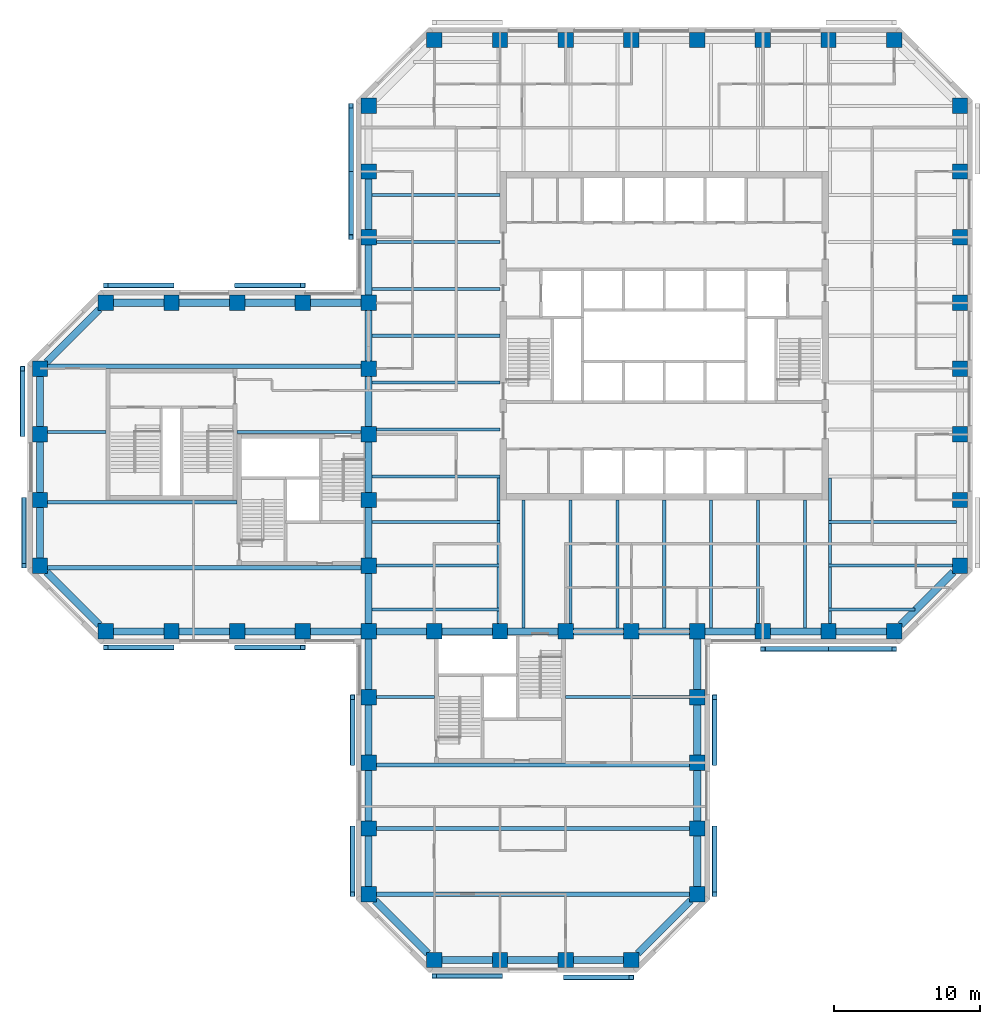
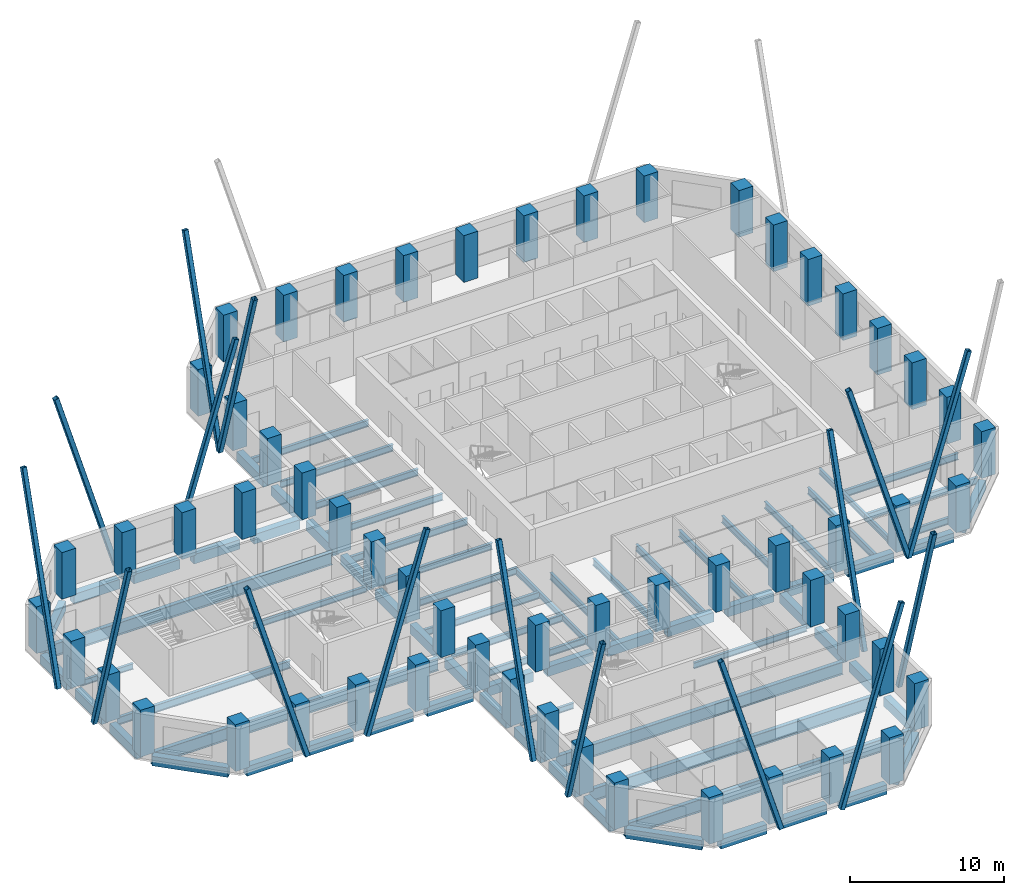
# One storey, part 1 of 11: 74 beams, 57 columns, 16 members.
"""IFC4 building model written with IfcOpenShell, lengths in metres."""

from ifc_helpers import new_model, si_unit, direction, frame, origin, origin_2d, place, context, subcontext, project, spatial, rectangle, hollow_rectangle, i_section, extrude, material, material_profile, profile_set, type_object, element, save


model = new_model("IFC4")

# Units and contexts
model_context = context("Model", 3, precision=1e-05, world=origin(), true_north=direction((0.0, 1.0)))
body_context = subcontext(model_context, "Body", "Model", "MODEL_VIEW")
ifc_project = project(units=[si_unit("LENGTHUNIT", "METRE"), si_unit("AREAUNIT", "SQUARE_METRE"), si_unit("VOLUMEUNIT", "CUBIC_METRE"), si_unit("PLANEANGLEUNIT", "RADIAN"), si_unit("MASSUNIT", "GRAM", prefix="KILO")], contexts=[model_context])

# Site, building, storey
site_placement = place(None, origin())
site = spatial("IfcSite", under=ifc_project, at=site_placement, CompositionType="ELEMENT")
building_placement = place(site_placement, origin())
building = spatial("IfcBuilding", under=site, at=building_placement, Name="Quoin Convention Tower", CompositionType="ELEMENT")
storey_placement = place(building_placement, frame((0.0, 0.0, 112.199951171875)))
storey = spatial("IfcBuildingStorey", under=building, at=storey_placement, Name="L29", CompositionType="ELEMENT", Elevation=112.199951171875)

# Columns
ifc_material_1 = material(Name="Concrete C65", Category="concrete")
ifc_material_profile_1 = material_profile(ifc_material_1, rectangle(XDim=1.050048828125, YDim=1.050048828125, at=origin_2d()), Name="RC 1050x1050")
ifc_profile_set_1 = profile_set([ifc_material_profile_1], Name="Concrete C65")
column_type = type_object("IfcColumnType", Name="RC 1050x1050 C65", PredefinedType="COLUMN", material=ifc_profile_set_1)
for number, where, z_axis, x_axis, name in (
    (1, (40.5, 18.0, 0.0), (0.0, 0.0, 1.0), (1.0, 0.0, 0.0), "col-L29-40500_18000"),
    (2, (45.0, 18.0, 0.0), (0.0, 0.0, 1.0), (1.0, 0.0, 0.0), "col-L29-45000_18000"),
    (3, (49.5, 18.0, 0.0), (0.0, 0.0, 1.0), (1.0, 0.0, 0.0), "col-L29-49500_18000"),
    (4, (54.0, 18.0, 0.0), (0.0, 0.0, 1.0), (1.0, 0.0, 0.0), "col-L29-54000_18000"),
    (5, (36.0, 22.5, 0.0), (0.0, 0.0, 1.0), (1.0, 0.0, 0.0), "col-L29-36000_22500"),
    (6, (58.5, 22.5, 0.0), (0.0, 0.0, 1.0), (1.0, 0.0, 0.0), "col-L29-58500_22500"),
    (7, (36.0, 27.0, 0.0), (0.0, 0.0, 1.0), (1.0, 0.0, 0.0), "col-L29-36000_27000"),
    (8, (58.5, 27.0, 0.0), (0.0, 0.0, 1.0), (1.0, 0.0, 0.0), "col-L29-58500_27000"),
    (9, (36.0, 31.5, 0.0), (0.0, 0.0, 1.0), (1.0, 0.0, 0.0), "col-L29-36000_31500"),
    (10, (58.5, 31.5, 0.0), (0.0, 0.0, 1.0), (1.0, 0.0, 0.0), "col-L29-58500_31500"),
    (11, (36.0, 36.0, 0.0), (0.0, 0.0, 1.0), (1.0, 0.0, 0.0), "col-L29-36000_36000"),
    (12, (58.5, 36.0, 0.0), (0.0, 0.0, 1.0), (1.0, 0.0, 0.0), "col-L29-58500_36000"),
    (13, (18.0, 40.5, 0.0), (0.0, 0.0, 1.0), (1.0, 0.0, 0.0), "col-L29-18000_40500"),
    (14, (22.5, 40.5, 0.0), (0.0, 0.0, 1.0), (1.0, 0.0, 0.0), "col-L29-22500_40500"),
    (15, (27.0, 40.5, 0.0), (0.0, 0.0, 1.0), (1.0, 0.0, 0.0), "col-L29-27000_40500"),
    (16, (31.5, 40.5, 0.0), (0.0, 0.0, 1.0), (1.0, 0.0, 0.0), "col-L29-31500_40500"),
    (17, (36.0, 40.5, 0.0), (0.0, 0.0, 1.0), (1.0, 0.0, 0.0), "col-L29-36000_40500"),
    (18, (40.5, 40.5, 0.0), (0.0, 0.0, 1.0), (1.0, 0.0, 0.0), "web-L29-40500_40500"),
    (19, (45.0, 40.5, 0.0), (0.0, 0.0, 1.0), (1.0, 0.0, 0.0), "web-L29-45000_40500"),
    (20, (49.5, 40.5, 0.0), (0.0, 0.0, 1.0), (1.0, 0.0, 0.0), "web-L29-49500_40500"),
    (21, (54.0, 40.5, 0.0), (0.0, 0.0, 1.0), (1.0, 0.0, 0.0), "web-L29-54000_40500"),
    (22, (58.5, 40.5, 0.0), (0.0, 0.0, 1.0), (1.0, 0.0, 0.0), "col-L29-58500_40500"),
    (23, (63.0, 40.5, 0.0), (0.0, 0.0, 1.0), (1.0, 0.0, 0.0), "col-L29-63000_40500"),
    (24, (67.5, 40.5, 0.0), (0.0, 0.0, 1.0), (1.0, 0.0, 0.0), "col-L29-67500_40500"),
    (25, (72.0, 40.5, 0.0), (0.0, 0.0, 1.0), (1.0, 0.0, 0.0), "col-L29-72000_40500"),
    (26, (13.5, 45.0, 0.0), (0.0, 0.0, 1.0), (1.0, 0.0, 0.0), "col-L29-13500_45000"),
    (27, (36.0, 45.0, 0.0), (0.0, 0.0, 1.0), (1.0, 0.0, 0.0), "web-L29-36000_45000"),
    (28, (76.5, 45.0, 0.0), (0.0, 0.0, 1.0), (1.0, 0.0, 0.0), "col-L29-76500_45000"),
    (29, (13.5, 49.5, 0.0), (0.0, 0.0, 1.0), (1.0, 0.0, 0.0), "col-L29-13500_49500"),
    (30, (36.0, 49.5, 0.0), (0.0, 0.0, 1.0), (1.0, 0.0, 0.0), "web-L29-36000_49500"),
    (31, (76.5, 49.5, 0.0), (0.0, 0.0, 1.0), (1.0, 0.0, 0.0), "col-L29-76500_49500"),
    (32, (13.5, 54.0, 0.0), (0.0, 0.0, 1.0), (1.0, 0.0, 0.0), "col-L29-13500_54000"),
    (33, (36.0, 54.0, 0.0), (0.0, 0.0, 1.0), (1.0, 0.0, 0.0), "web-L29-36000_54000"),
    (34, (76.5, 54.0, 0.0), (0.0, 0.0, 1.0), (1.0, 0.0, 0.0), "col-L29-76500_54000"),
    (35, (13.5, 58.5, 0.0), (0.0, 0.0, 1.0), (1.0, 0.0, 0.0), "col-L29-13500_58500"),
    (36, (36.0, 58.5, 0.0), (0.0, 0.0, 1.0), (1.0, 0.0, 0.0), "web-L29-36000_58500"),
    (37, (76.5, 58.5, 0.0), (0.0, 0.0, 1.0), (1.0, 0.0, 0.0), "col-L29-76500_58500"),
    (38, (18.0, 63.0, 0.0), (0.0, 0.0, 1.0), (1.0, 0.0, 0.0), "col-L29-18000_63000"),
    (39, (22.5, 63.0, 0.0), (0.0, 0.0, 1.0), (1.0, 0.0, 0.0), "col-L29-22500_63000"),
    (40, (27.0, 63.0, 0.0), (0.0, 0.0, 1.0), (1.0, 0.0, 0.0), "col-L29-27000_63000"),
    (41, (31.5, 63.0, 0.0), (0.0, 0.0, 1.0), (1.0, 0.0, 0.0), "col-L29-31500_63000"),
    (42, (36.0, 63.0, 0.0), (0.0, 0.0, 1.0), (1.0, 0.0, 0.0), "col-L29-36000_63000"),
    (43, (76.5, 63.0, 0.0), (0.0, 0.0, 1.0), (1.0, 0.0, 0.0), "col-L29-76500_63000"),
    (44, (36.0, 67.5, 0.0), (0.0, 0.0, 1.0), (1.0, 0.0, 0.0), "col-L29-36000_67500"),
    (45, (76.5, 67.5, 0.0), (0.0, 0.0, 1.0), (1.0, 0.0, 0.0), "col-L29-76500_67500"),
    (46, (36.0, 72.0, 0.0), (0.0, 0.0, 1.0), (1.0, 0.0, 0.0), "col-L29-36000_72000"),
    (47, (76.5, 72.0, 0.0), (0.0, 0.0, 1.0), (1.0, 0.0, 0.0), "col-L29-76500_72000"),
    (48, (36.0, 76.5, 0.0), (0.0, 0.0, 1.0), (1.0, 0.0, 0.0), "col-L29-36000_76500"),
    (49, (76.5, 76.5, 0.0), (0.0, 0.0, 1.0), (1.0, 0.0, 0.0), "col-L29-76500_76500"),
    (50, (40.5, 81.0, 0.0), (0.0, 0.0, 1.0), (1.0, 0.0, 0.0), "col-L29-40500_81000"),
    (51, (45.0, 81.0, 0.0), (0.0, 0.0, 1.0), (1.0, 0.0, 0.0), "col-L29-45000_81000"),
    (52, (49.5, 81.0, 0.0), (0.0, 0.0, 1.0), (1.0, 0.0, 0.0), "col-L29-49500_81000"),
    (53, (54.0, 81.0, 0.0), (0.0, 0.0, 1.0), (1.0, 0.0, 0.0), "col-L29-54000_81000"),
    (54, (58.5, 81.0, 0.0), (0.0, 0.0, 1.0), (1.0, 0.0, 0.0), "col-L29-58500_81000"),
    (55, (63.0, 81.0, 0.0), (0.0, 0.0, 1.0), (1.0, 0.0, 0.0), "col-L29-63000_81000"),
    (56, (67.5, 81.0, 0.0), (0.0, 0.0, 1.0), (1.0, 0.0, 0.0), "col-L29-67500_81000"),
    (57, (72.0, 81.0, 0.0), (0.0, 0.0, 1.0), (1.0, 0.0, 0.0), "col-L29-72000_81000"),
):
    element("IfcColumn", number, at=place(storey_placement, frame(where, z_axis=z_axis, x_axis=x_axis)), inside=storey, type_object=column_type, Name=name, PredefinedType="COLUMN", context=body_context, shape_type="SweptSolid", body=[
        extrude(rectangle(XDim=1.050048828125, YDim=1.050048828125, at=origin_2d()), origin(), (0.0, 0.0, 1.0), 3.699951171875),
    ])

# Beams
ifc_material_2 = material(Name="Steel Grade 300", Category="steel")
ifc_material_profile_2 = material_profile(ifc_material_2, i_section(OverallWidth=0.300048828125, OverallDepth=1.0, WebThickness=0.01611328125, FlangeThickness=0.02001953125, at=origin_2d()), Name="1000WB215")
ifc_profile_set_2 = profile_set([ifc_material_profile_2], Name="Steel Grade 300")
beam_type_1 = type_object("IfcBeamType", Name="1000WB215", PredefinedType="BEAM", material=ifc_profile_set_2)
for number, where, z_axis, x_axis, name in (
    (58, (36.52490234375, 22.5, -0.64990234375), (1.0, 0.0, 0.0), (0.0, 1.0, 0.0), "gir-L29-ST3-1-0"),
    (59, (36.52490234375, 27.0, -0.64990234375), (1.0, 0.0, 0.0), (0.0, 1.0, 0.0), "gir-L29-ST3-2-0"),
    (60, (36.52490234375, 31.35009765625, -0.64990234375), (1.0, 0.0, 0.0), (0.0, 1.0, 0.0), "gir-L29-ST3-3-0"),
    (61, (14.02490234375, 44.85009765625, -0.64990234375), (1.0, 0.0, 0.0), (0.0, 1.0, 0.0), "gir-L29-ST2-1-0"),
    (62, (14.02490234375, 58.64990234375, -0.64990234375), (1.0, 0.0, 0.0), (0.0, 1.0, 0.0), "gir-L29-ST2-4-0"),
):
    element("IfcBeam", number, at=place(storey_placement, frame(where, z_axis=z_axis, x_axis=x_axis)), inside=storey, type_object=beam_type_1, Name=name, PredefinedType="BEAM", context=body_context, shape_type="SweptSolid", body=[
        extrude(i_section(OverallWidth=0.300048828125, OverallDepth=1.0, WebThickness=0.01611328125, FlangeThickness=0.02001953125, at=origin_2d()), origin(), (0.0, 0.0, 1.0), 21.4501953125),
    ])
ifc_material_profile_3 = material_profile(ifc_material_2, i_section(OverallWidth=0.18994140625, OverallDepth=0.4541015625, WebThickness=0.008544921875, FlangeThickness=0.0126953125, FilletRadius=0.011474609375, at=origin_2d()), Name="460UB67.1")
ifc_profile_set_3 = profile_set([ifc_material_profile_3], Name="Steel Grade 300")
beam_type_2 = type_object("IfcBeamType", Name="460UB67.1", PredefinedType="BEAM", material=ifc_profile_set_3)
for number, where, z_axis, x_axis, name in (
    (63, (44.8955078125, 41.02490234375, -0.376953125), (0.0, 1.0, 0.0), (-1.0, 0.0, 0.0), "gir-L29-T1SW"),
    (64, (67.6044921875, 41.02490234375, -0.376953125), (0.0, 1.0, 0.0), (-1.0, 0.0, 0.0), "gir-L29-T1SE"),
):
    element("IfcBeam", number, at=place(storey_placement, frame(where, z_axis=z_axis, x_axis=x_axis)), inside=storey, type_object=beam_type_2, Name=name, PredefinedType="BEAM", context=body_context, shape_type="SweptSolid", body=[
        extrude(i_section(OverallWidth=0.18994140625, OverallDepth=0.4541015625, WebThickness=0.008544921875, FlangeThickness=0.0126953125, FilletRadius=0.011474609375, at=origin_2d()), origin(), (0.0, 0.0, 1.0), 9.977783203125),
    ])
beam_1_placement = place(storey_placement, frame((36.52490234375, 36.0, -0.376953125), z_axis=(1.0, 0.0, 0.0), x_axis=(0.0, 1.0, 0.0)))
element("IfcBeam", 65, at=beam_1_placement, inside=storey, type_object=beam_type_2, Name="gir-L29-ST3-4-0", PredefinedType="BEAM", context=body_context, shape_type="SweptSolid", body=[
    extrude(i_section(OverallWidth=0.18994140625, OverallDepth=0.4541015625, WebThickness=0.008544921875, FlangeThickness=0.0126953125, FilletRadius=0.011474609375, at=origin_2d()), origin(), (0.0, 0.0, 1.0), 3.97509765625),
])
beam_2_placement = place(storey_placement, frame((49.5, 36.0, -0.376953125), z_axis=(1.0, 0.0, 0.0), x_axis=(0.0, 1.0, 0.0)))
element("IfcBeam", 66, at=beam_2_placement, inside=storey, type_object=beam_type_2, Name="gir-L29-ST3-4-1", PredefinedType="BEAM", context=body_context, shape_type="SweptSolid", body=[
    extrude(i_section(OverallWidth=0.18994140625, OverallDepth=0.4541015625, WebThickness=0.008544921875, FlangeThickness=0.0126953125, FilletRadius=0.011474609375, at=origin_2d()), origin(), (0.0, 0.0, 1.0), 8.47509765625),
])
beam_3_placement = place(storey_placement, frame((14.02490234375, 54.14990234375, -0.376953125), z_axis=(1.0, 0.0, 0.0), x_axis=(0.0, 1.0, 0.0)))
element("IfcBeam", 67, at=beam_3_placement, inside=storey, type_object=beam_type_2, Name="gir-L29-ST2-3-0", PredefinedType="BEAM", context=body_context, shape_type="SweptSolid", body=[
    extrude(i_section(OverallWidth=0.18994140625, OverallDepth=0.4541015625, WebThickness=0.008544921875, FlangeThickness=0.0126953125, FilletRadius=0.011474609375, at=origin_2d()), origin(), (0.0, 0.0, 1.0), 3.97509765625),
])
beam_4_placement = place(storey_placement, frame((27.0, 54.14990234375, -0.376953125), z_axis=(1.0, 0.0, 0.0), x_axis=(0.0, 1.0, 0.0)))
element("IfcBeam", 68, at=beam_4_placement, inside=storey, type_object=beam_type_2, Name="gir-L29-ST2-3-1", PredefinedType="BEAM", context=body_context, shape_type="SweptSolid", body=[
    extrude(i_section(OverallWidth=0.18994140625, OverallDepth=0.4541015625, WebThickness=0.008544921875, FlangeThickness=0.0126953125, FilletRadius=0.011474609375, at=origin_2d()), origin(), (0.0, 0.0, 1.0), 8.47509765625),
])
ifc_material_profile_4 = material_profile(ifc_material_2, i_section(OverallWidth=0.208984375, OverallDepth=0.528076171875, WebThickness=0.009521484375, FlangeThickness=0.01318359375, FilletRadius=0.013916015625, at=origin_2d()), Name="530UB82.0")
ifc_profile_set_4 = profile_set([ifc_material_profile_4], Name="Steel Grade 300")
beam_type_3 = type_object("IfcBeamType", Name="530UB82.0", PredefinedType="BEAM", material=ifc_profile_set_4)
beam_5_placement = place(storey_placement, frame((36.25, 51.107177734375, -0.4140625), z_axis=(1.0, 0.0, 0.0), x_axis=(0.0, 1.0, 0.0)))
element("IfcBeam", 69, at=beam_5_placement, inside=storey, type_object=beam_type_3, Name="bm-L29-T1W0", PredefinedType="BEAM", context=body_context, shape_type="SweptSolid", body=[
    extrude(i_section(OverallWidth=0.208984375, OverallDepth=0.528076171875, WebThickness=0.009521484375, FlangeThickness=0.01318359375, FilletRadius=0.013916015625, at=origin_2d()), origin(), (0.0, 0.0, 1.0), 8.75),
])
beam_6_placement = place(storey_placement, frame((36.52490234375, 54.3212890625, -0.4140625), z_axis=(1.0, 0.0, 0.0), x_axis=(0.0, 1.0, 0.0)))
element("IfcBeam", 70, at=beam_6_placement, inside=storey, type_object=beam_type_3, Name="bm-L29-T1W1", PredefinedType="BEAM", context=body_context, shape_type="SweptSolid", body=[
    extrude(i_section(OverallWidth=0.208984375, OverallDepth=0.528076171875, WebThickness=0.009521484375, FlangeThickness=0.01318359375, FilletRadius=0.013916015625, at=origin_2d()), origin(), (0.0, 0.0, 1.0), 8.47509765625),
])
for number, where, z_axis, x_axis, name in (
    (71, (36.25, 57.53564453125, -0.4140625), (1.0, 0.0, 0.0), (0.0, 1.0, 0.0), "bm-L29-T1W2"),
    (72, (36.25, 60.75, -0.4140625), (1.0, 0.0, 0.0), (0.0, 1.0, 0.0), "bm-L29-T1W3"),
    (73, (36.25, 63.96435546875, -0.4140625), (1.0, 0.0, 0.0), (0.0, 1.0, 0.0), "bm-L29-T1W4"),
):
    element("IfcBeam", number, at=place(storey_placement, frame(where, z_axis=z_axis, x_axis=x_axis)), inside=storey, type_object=beam_type_3, Name=name, PredefinedType="BEAM", context=body_context, shape_type="SweptSolid", body=[
        extrude(i_section(OverallWidth=0.208984375, OverallDepth=0.528076171875, WebThickness=0.009521484375, FlangeThickness=0.01318359375, FilletRadius=0.013916015625, at=origin_2d()), origin(), (0.0, 0.0, 1.0), 8.75),
    ])
beam_7_placement = place(storey_placement, frame((36.52490234375, 67.1787109375, -0.4140625), z_axis=(1.0, 0.0, 0.0), x_axis=(0.0, 1.0, 0.0)))
element("IfcBeam", 74, at=beam_7_placement, inside=storey, type_object=beam_type_3, Name="bm-L29-T1W5", PredefinedType="BEAM", context=body_context, shape_type="SweptSolid", body=[
    extrude(i_section(OverallWidth=0.208984375, OverallDepth=0.528076171875, WebThickness=0.009521484375, FlangeThickness=0.01318359375, FilletRadius=0.013916015625, at=origin_2d()), origin(), (0.0, 0.0, 1.0), 8.47509765625),
])
for number, where, z_axis, x_axis, name in (
    (75, (36.25, 70.392822265625, -0.4140625), (1.0, 0.0, 0.0), (0.0, 1.0, 0.0), "bm-L29-T1W6"),
    (76, (46.607177734375, 40.75, -0.4140625), (0.0, 1.0, 0.0), (-1.0, 0.0, 0.0), "bm-L29-T1S0"),
):
    element("IfcBeam", number, at=place(storey_placement, frame(where, z_axis=z_axis, x_axis=x_axis)), inside=storey, type_object=beam_type_3, Name=name, PredefinedType="BEAM", context=body_context, shape_type="SweptSolid", body=[
        extrude(i_section(OverallWidth=0.208984375, OverallDepth=0.528076171875, WebThickness=0.009521484375, FlangeThickness=0.01318359375, FilletRadius=0.013916015625, at=origin_2d()), origin(), (0.0, 0.0, 1.0), 8.75),
    ])
beam_8_placement = place(storey_placement, frame((49.8212890625, 41.02490234375, -0.4140625), z_axis=(0.0, 1.0, 0.0), x_axis=(-1.0, 0.0, 0.0)))
element("IfcBeam", 77, at=beam_8_placement, inside=storey, type_object=beam_type_3, Name="bm-L29-T1S1", PredefinedType="BEAM", context=body_context, shape_type="SweptSolid", body=[
    extrude(i_section(OverallWidth=0.208984375, OverallDepth=0.528076171875, WebThickness=0.009521484375, FlangeThickness=0.01318359375, FilletRadius=0.013916015625, at=origin_2d()), origin(), (0.0, 0.0, 1.0), 8.47509765625),
])
for number, where, z_axis, x_axis, name in (
    (78, (53.03564453125, 40.75, -0.4140625), (0.0, 1.0, 0.0), (-1.0, 0.0, 0.0), "bm-L29-T1S2"),
    (79, (56.25, 40.75, -0.4140625), (0.0, 1.0, 0.0), (-1.0, 0.0, 0.0), "bm-L29-T1S3"),
    (80, (59.46435546875, 40.75, -0.4140625), (0.0, 1.0, 0.0), (-1.0, 0.0, 0.0), "bm-L29-T1S4"),
):
    element("IfcBeam", number, at=place(storey_placement, frame(where, z_axis=z_axis, x_axis=x_axis)), inside=storey, type_object=beam_type_3, Name=name, PredefinedType="BEAM", context=body_context, shape_type="SweptSolid", body=[
        extrude(i_section(OverallWidth=0.208984375, OverallDepth=0.528076171875, WebThickness=0.009521484375, FlangeThickness=0.01318359375, FilletRadius=0.013916015625, at=origin_2d()), origin(), (0.0, 0.0, 1.0), 8.75),
    ])
beam_9_placement = place(storey_placement, frame((62.6787109375, 41.02490234375, -0.4140625), z_axis=(0.0, 1.0, 0.0), x_axis=(-1.0, 0.0, 0.0)))
element("IfcBeam", 81, at=beam_9_placement, inside=storey, type_object=beam_type_3, Name="bm-L29-T1S5", PredefinedType="BEAM", context=body_context, shape_type="SweptSolid", body=[
    extrude(i_section(OverallWidth=0.208984375, OverallDepth=0.528076171875, WebThickness=0.009521484375, FlangeThickness=0.01318359375, FilletRadius=0.013916015625, at=origin_2d()), origin(), (0.0, 0.0, 1.0), 8.47509765625),
])
for number, where, z_axis, x_axis, name in (
    (82, (65.892822265625, 40.75, -0.4140625), (0.0, 1.0, 0.0), (-1.0, 0.0, 0.0), "bm-L29-T1S6"),
    (83, (36.25, 42.0, -0.4140625), (1.0, 0.0, 0.0), (0.0, 1.0, 0.0), "bm-L29-T1SW0"),
):
    element("IfcBeam", number, at=place(storey_placement, frame(where, z_axis=z_axis, x_axis=x_axis)), inside=storey, type_object=beam_type_3, Name=name, PredefinedType="BEAM", context=body_context, shape_type="SweptSolid", body=[
        extrude(i_section(OverallWidth=0.208984375, OverallDepth=0.528076171875, WebThickness=0.009521484375, FlangeThickness=0.01318359375, FilletRadius=0.013916015625, at=origin_2d()), origin(), (0.0, 0.0, 1.0), 8.75),
    ])
beam_10_placement = place(storey_placement, frame((36.52490234375, 45.0, -0.4140625), z_axis=(1.0, 0.0, 0.0), x_axis=(0.0, 1.0, 0.0)))
element("IfcBeam", 84, at=beam_10_placement, inside=storey, type_object=beam_type_3, Name="bm-L29-T1SW1", PredefinedType="BEAM", context=body_context, shape_type="SweptSolid", body=[
    extrude(i_section(OverallWidth=0.208984375, OverallDepth=0.528076171875, WebThickness=0.009521484375, FlangeThickness=0.01318359375, FilletRadius=0.013916015625, at=origin_2d()), origin(), (0.0, 0.0, 1.0), 8.47509765625),
])
beam_11_placement = place(storey_placement, frame((36.25, 48.0, -0.4140625), z_axis=(1.0, 0.0, 0.0), x_axis=(0.0, 1.0, 0.0)))
element("IfcBeam", 85, at=beam_11_placement, inside=storey, type_object=beam_type_3, Name="bm-L29-T1SW2", PredefinedType="BEAM", context=body_context, shape_type="SweptSolid", body=[
    extrude(i_section(OverallWidth=0.208984375, OverallDepth=0.528076171875, WebThickness=0.009521484375, FlangeThickness=0.01318359375, FilletRadius=0.013916015625, at=origin_2d()), origin(), (0.0, 0.0, 1.0), 8.75),
])
beam_12_placement = place(storey_placement, frame((67.5, 42.0, -0.4140625), z_axis=(1.0, 0.0, 0.0), x_axis=(0.0, 1.0, 0.0)))
element("IfcBeam", 86, at=beam_12_placement, inside=storey, type_object=beam_type_3, Name="bm-L29-T1SE0", PredefinedType="BEAM", context=body_context, shape_type="SweptSolid", body=[
    extrude(i_section(OverallWidth=0.208984375, OverallDepth=0.528076171875, WebThickness=0.009521484375, FlangeThickness=0.01318359375, FilletRadius=0.013916015625, at=origin_2d()), origin(), (0.0, 0.0, 1.0), 5.927734375),
])
beam_13_placement = place(storey_placement, frame((67.5, 45.0, -0.4140625), z_axis=(1.0, 0.0, 0.0), x_axis=(0.0, 1.0, 0.0)))
element("IfcBeam", 87, at=beam_13_placement, inside=storey, type_object=beam_type_3, Name="bm-L29-T1SE1", PredefinedType="BEAM", context=body_context, shape_type="SweptSolid", body=[
    extrude(i_section(OverallWidth=0.208984375, OverallDepth=0.528076171875, WebThickness=0.009521484375, FlangeThickness=0.01318359375, FilletRadius=0.013916015625, at=origin_2d()), origin(), (0.0, 0.0, 1.0), 8.47509765625),
])
beam_14_placement = place(storey_placement, frame((67.5, 48.0, -0.4140625), z_axis=(1.0, 0.0, 0.0), x_axis=(0.0, 1.0, 0.0)))
element("IfcBeam", 88, at=beam_14_placement, inside=storey, type_object=beam_type_3, Name="bm-L29-T1SE2", PredefinedType="BEAM", context=body_context, shape_type="SweptSolid", body=[
    extrude(i_section(OverallWidth=0.208984375, OverallDepth=0.528076171875, WebThickness=0.009521484375, FlangeThickness=0.01318359375, FilletRadius=0.013916015625, at=origin_2d()), origin(), (0.0, 0.0, 1.0), 8.75),
])
ifc_material_profile_5 = material_profile(ifc_material_2, i_section(OverallWidth=0.22802734375, OverallDepth=0.60205078125, WebThickness=0.010498046875, FlangeThickness=0.014892578125, FilletRadius=0.013916015625, at=origin_2d()), Name="610UB101")
ifc_profile_set_5 = profile_set([ifc_material_profile_5], Name="Steel Grade 300")
beam_type_4 = type_object("IfcBeamType", Name="610UB101", PredefinedType="BEAM", material=ifc_profile_set_5)
beam_15_placement = place(storey_placement, frame((14.02490234375, 49.35009765625, -0.450927734375), z_axis=(1.0, 0.0, 0.0), x_axis=(0.0, 1.0, 0.0)))
element("IfcBeam", 89, at=beam_15_placement, inside=storey, type_object=beam_type_4, Name="gir-L29-ST2-2-0", PredefinedType="BEAM", context=body_context, shape_type="SweptSolid", body=[
    extrude(i_section(OverallWidth=0.22802734375, OverallDepth=0.60205078125, WebThickness=0.010498046875, FlangeThickness=0.014892578125, FilletRadius=0.013916015625, at=origin_2d()), origin(), (0.0, 0.0, 1.0), 12.97509765625),
])

# Members
ifc_material_3 = material(Name="Steel C450L0", Category="steel")
ifc_material_profile_6 = material_profile(ifc_material_3, hollow_rectangle(XDim=0.35009765625, YDim=0.35009765625, WallThickness=0.01611328125, InnerFilletRadius=0.02392578125, OuterFilletRadius=0.0400390625, at=origin_2d()), Name="350x350x16.0SHS")
ifc_profile_set_6 = profile_set([ifc_material_profile_6], Name="Steel C450L0")
member_type = type_object("IfcMemberType", Name="Exposed brace 350x350x16.0SHS", PredefinedType="BRACE", material=ifc_profile_set_6)
for number, where, z_axis, x_axis, name in (
    (90, (12.300048828125, 54.0, -0.074951171875), (0.0, 0.290903487189, 0.956752403259), (-1.0, 0.0, 0.0), "brc-L29-13500_58500-13500_54000"),
    (91, (12.39990234375, 49.5, -0.074951171875), (0.0, -0.290903487189, 0.956752403259), (1.0, 0.0, 0.0), "brc-L29-13500_49500-13500_45000"),
    (92, (22.5, 39.39990234375, -0.074951171875), (-0.290903487189, 0.0, 0.956752403259), (0.0, -1.0, 0.0), "brc-L29-18000_40500-22500_40500"),
    (93, (27.0, 39.39990234375, -0.074951171875), (0.290903487189, 0.0, 0.956752403259), (0.0, 1.0, 0.0), "brc-L29-27000_40500-31500_40500"),
    (94, (34.89990234375, 31.5, -0.074951171875), (0.0, 0.290903487189, 0.956752403259), (-1.0, 0.0, 0.0), "brc-L29-36000_36000-36000_31500"),
    (95, (34.89990234375, 27.0, -0.074951171875), (0.0, -0.290903487189, 0.956752403259), (1.0, 0.0, 0.0), "brc-L29-36000_27000-36000_22500"),
    (96, (27.0, 64.199951171875, -0.074951171875), (0.290903487189, 0.0, 0.956752403259), (0.0, 1.0, 0.0), "brc-L29-31500_63000-27000_63000"),
    (97, (22.5, 64.199951171875, -0.074951171875), (-0.290903487189, 0.0, 0.956752403259), (0.0, -1.0, 0.0), "brc-L29-22500_63000-18000_63000"),
    (98, (34.800048828125, 72.0, -0.074951171875), (0.0, 0.290903487189, 0.956752403259), (-1.0, 0.0, 0.0), "brc-L29-36000_76500-36000_72000"),
    (99, (34.800048828125, 72.0, -0.074951171875), (0.0, -0.290903487189, 0.956752403259), (1.0, 0.0, 0.0), "brc-L29-36000_72000-36000_67500"),
    (100, (45.0, 16.89990234375, -0.074951171875), (-0.290903487189, 0.0, 0.956752403259), (0.0, -1.0, 0.0), "brc-L29-40500_18000-45000_18000"),
    (101, (49.5, 16.800048828125, -0.074951171875), (0.290903487189, 0.0, 0.956752403259), (0.0, 1.0, 0.0), "brc-L29-49500_18000-54000_18000"),
    (102, (59.699951171875, 27.0, -0.074951171875), (0.0, -0.290903487189, 0.956752403259), (1.0, 0.0, 0.0), "brc-L29-58500_22500-58500_27000"),
    (103, (59.699951171875, 31.5, -0.074951171875), (0.0, 0.290903487189, 0.956752403259), (-1.0, 0.0, 0.0), "brc-L29-58500_31500-58500_36000"),
    (104, (67.5, 39.300048828125, -0.074951171875), (-0.290903487189, 0.0, 0.956752403259), (0.0, -1.0, 0.0), "brc-L29-63000_40500-67500_40500"),
    (105, (67.5, 39.300048828125, -0.074951171875), (0.290903487189, 0.0, 0.956752403259), (0.0, 1.0, 0.0), "brc-L29-67500_40500-72000_40500"),
):
    element("IfcMember", number, at=place(storey_placement, frame(where, z_axis=z_axis, x_axis=x_axis)), inside=storey, type_object=member_type, Name=name, PredefinedType="BRACE", context=body_context, shape_type="SweptSolid", body=[
        extrude(hollow_rectangle(XDim=0.35009765625, YDim=0.35009765625, WallThickness=0.01611328125, InnerFilletRadius=0.02392578125, OuterFilletRadius=0.0400390625, at=origin_2d()), origin(), (0.0, 0.0, 1.0), 15.468994140625),
    ])

# Beams
ifc_material_profile_7 = material_profile(ifc_material_1, rectangle(XDim=0.5, YDim=0.75, at=origin_2d()), Name="RC 500x750")
ifc_profile_set_7 = profile_set([ifc_material_profile_7], Name="Concrete C65")
beam_type_5 = type_object("IfcBeamType", Name="RC 500x750 C65", PredefinedType="SPANDREL", material=ifc_profile_set_7)
for number, where, z_axis, x_axis, name in (
    (106, (59.02490234375, 40.5, -0.52490234375), (1.0, 0.0, 0.0), (0.0, 1.0, 0.0), "spd-L29-58500_40500-63000_40500"),
    (107, (63.52490234375, 40.5, -0.52490234375), (1.0, 0.0, 0.0), (0.0, 1.0, 0.0), "spd-L29-63000_40500-67500_40500"),
    (108, (68.02490234375, 40.5, -0.52490234375), (1.0, 0.0, 0.0), (0.0, 1.0, 0.0), "spd-L29-67500_40500-72000_40500"),
):
    element("IfcBeam", number, at=place(storey_placement, frame(where, z_axis=z_axis, x_axis=x_axis)), inside=storey, type_object=beam_type_5, Name=name, PredefinedType="SPANDREL", context=body_context, shape_type="SweptSolid", body=[
        extrude(rectangle(XDim=0.5, YDim=0.75, at=origin_2d()), origin(), (0.0, 0.0, 1.0), 3.4501953125),
    ])
beam_16_placement = place(storey_placement, frame((72.440185546875, 40.940185546875, -0.52490234375), z_axis=(0.707106781187, 0.707106781187, 0.0), x_axis=(-0.707106781187, 0.707106781187, 0.0)))
element("IfcBeam", 109, at=beam_16_placement, inside=storey, type_object=beam_type_5, Name="spd-L29-72000_40500-76500_45000", PredefinedType="SPANDREL", context=body_context, shape_type="SweptSolid", body=[
    extrude(rectangle(XDim=0.5, YDim=0.75, at=origin_2d()), origin(), (0.0, 0.0, 1.0), 5.118896484375),
])
for number, where, z_axis, x_axis, name in (
    (110, (36.0, 71.47509765625, -0.52490234375), (0.0, -1.0, 0.0), (1.0, 0.0, 0.0), "spd-L29-36000_72000-36000_67500"),
    (111, (36.0, 66.97509765625, -0.52490234375), (0.0, -1.0, 0.0), (1.0, 0.0, 0.0), "spd-L29-36000_67500-36000_63000"),
    (112, (35.47509765625, 63.0, -0.52490234375), (-1.0, 0.0, 0.0), (0.0, -1.0, 0.0), "spd-L29-36000_63000-31500_63000"),
    (113, (30.97509765625, 63.0, -0.52490234375), (-1.0, 0.0, 0.0), (0.0, -1.0, 0.0), "spd-L29-31500_63000-27000_63000"),
    (114, (26.47509765625, 63.0, -0.52490234375), (-1.0, 0.0, 0.0), (0.0, -1.0, 0.0), "spd-L29-27000_63000-22500_63000"),
    (115, (21.97509765625, 63.0, -0.52490234375), (-1.0, 0.0, 0.0), (0.0, -1.0, 0.0), "spd-L29-22500_63000-18000_63000"),
):
    element("IfcBeam", number, at=place(storey_placement, frame(where, z_axis=z_axis, x_axis=x_axis)), inside=storey, type_object=beam_type_5, Name=name, PredefinedType="SPANDREL", context=body_context, shape_type="SweptSolid", body=[
        extrude(rectangle(XDim=0.5, YDim=0.75, at=origin_2d()), origin(), (0.0, 0.0, 1.0), 3.4501953125),
    ])
beam_17_placement = place(storey_placement, frame((17.559814453125, 62.559814453125, -0.52490234375), z_axis=(-0.707106781187, -0.707106781187, 0.0), x_axis=(0.707106781187, -0.707106781187, 0.0)))
element("IfcBeam", 116, at=beam_17_placement, inside=storey, type_object=beam_type_5, Name="spd-L29-18000_63000-13500_58500", PredefinedType="SPANDREL", context=body_context, shape_type="SweptSolid", body=[
    extrude(rectangle(XDim=0.5, YDim=0.75, at=origin_2d()), origin(), (0.0, 0.0, 1.0), 5.118896484375),
])
for number, where, z_axis, x_axis, name in (
    (117, (13.5, 57.97509765625, -0.52490234375), (0.0, -1.0, 0.0), (1.0, 0.0, 0.0), "spd-L29-13500_58500-13500_54000"),
    (118, (13.5, 53.47509765625, -0.52490234375), (0.0, -1.0, 0.0), (1.0, 0.0, 0.0), "spd-L29-13500_54000-13500_49500"),
    (119, (13.5, 48.97509765625, -0.52490234375), (0.0, -1.0, 0.0), (1.0, 0.0, 0.0), "spd-L29-13500_49500-13500_45000"),
):
    element("IfcBeam", number, at=place(storey_placement, frame(where, z_axis=z_axis, x_axis=x_axis)), inside=storey, type_object=beam_type_5, Name=name, PredefinedType="SPANDREL", context=body_context, shape_type="SweptSolid", body=[
        extrude(rectangle(XDim=0.5, YDim=0.75, at=origin_2d()), origin(), (0.0, 0.0, 1.0), 3.4501953125),
    ])
beam_18_placement = place(storey_placement, frame((13.940185546875, 44.559814453125, -0.52490234375), z_axis=(0.707106781187, -0.707106781187, 0.0), x_axis=(0.707106781187, 0.707106781187, 0.0)))
element("IfcBeam", 120, at=beam_18_placement, inside=storey, type_object=beam_type_5, Name="spd-L29-13500_45000-18000_40500", PredefinedType="SPANDREL", context=body_context, shape_type="SweptSolid", body=[
    extrude(rectangle(XDim=0.5, YDim=0.75, at=origin_2d()), origin(), (0.0, 0.0, 1.0), 5.118896484375),
])
for number, where, z_axis, x_axis, name in (
    (121, (18.52490234375, 40.5, -0.52490234375), (1.0, 0.0, 0.0), (0.0, 1.0, 0.0), "spd-L29-18000_40500-22500_40500"),
    (122, (23.02490234375, 40.5, -0.52490234375), (1.0, 0.0, 0.0), (0.0, 1.0, 0.0), "spd-L29-22500_40500-27000_40500"),
    (123, (27.52490234375, 40.5, -0.52490234375), (1.0, 0.0, 0.0), (0.0, 1.0, 0.0), "spd-L29-27000_40500-31500_40500"),
    (124, (32.02490234375, 40.5, -0.52490234375), (1.0, 0.0, 0.0), (0.0, 1.0, 0.0), "spd-L29-31500_40500-36000_40500"),
    (125, (36.0, 39.97509765625, -0.52490234375), (0.0, -1.0, 0.0), (1.0, 0.0, 0.0), "spd-L29-36000_40500-36000_36000"),
    (126, (36.0, 35.47509765625, -0.52490234375), (0.0, -1.0, 0.0), (1.0, 0.0, 0.0), "spd-L29-36000_36000-36000_31500"),
    (127, (36.0, 30.97509765625, -0.52490234375), (0.0, -1.0, 0.0), (1.0, 0.0, 0.0), "spd-L29-36000_31500-36000_27000"),
    (128, (36.0, 26.47509765625, -0.52490234375), (0.0, -1.0, 0.0), (1.0, 0.0, 0.0), "spd-L29-36000_27000-36000_22500"),
):
    element("IfcBeam", number, at=place(storey_placement, frame(where, z_axis=z_axis, x_axis=x_axis)), inside=storey, type_object=beam_type_5, Name=name, PredefinedType="SPANDREL", context=body_context, shape_type="SweptSolid", body=[
        extrude(rectangle(XDim=0.5, YDim=0.75, at=origin_2d()), origin(), (0.0, 0.0, 1.0), 3.4501953125),
    ])
beam_19_placement = place(storey_placement, frame((36.440185546875, 22.059814453125, -0.52490234375), z_axis=(0.707106781187, -0.707106781187, 0.0), x_axis=(0.707106781187, 0.707106781187, 0.0)))
element("IfcBeam", 129, at=beam_19_placement, inside=storey, type_object=beam_type_5, Name="spd-L29-36000_22500-40500_18000", PredefinedType="SPANDREL", context=body_context, shape_type="SweptSolid", body=[
    extrude(rectangle(XDim=0.5, YDim=0.75, at=origin_2d()), origin(), (0.0, 0.0, 1.0), 5.118896484375),
])
for number, where, z_axis, x_axis, name in (
    (130, (41.02490234375, 18.0, -0.52490234375), (1.0, 0.0, 0.0), (0.0, 1.0, 0.0), "spd-L29-40500_18000-45000_18000"),
    (131, (45.52490234375, 18.0, -0.52490234375), (1.0, 0.0, 0.0), (0.0, 1.0, 0.0), "spd-L29-45000_18000-49500_18000"),
    (132, (50.02490234375, 18.0, -0.52490234375), (1.0, 0.0, 0.0), (0.0, 1.0, 0.0), "spd-L29-49500_18000-54000_18000"),
):
    element("IfcBeam", number, at=place(storey_placement, frame(where, z_axis=z_axis, x_axis=x_axis)), inside=storey, type_object=beam_type_5, Name=name, PredefinedType="SPANDREL", context=body_context, shape_type="SweptSolid", body=[
        extrude(rectangle(XDim=0.5, YDim=0.75, at=origin_2d()), origin(), (0.0, 0.0, 1.0), 3.4501953125),
    ])
beam_20_placement = place(storey_placement, frame((54.440185546875, 18.440185546875, -0.52490234375), z_axis=(0.707106781187, 0.707106781187, 0.0), x_axis=(-0.707106781187, 0.707106781187, 0.0)))
element("IfcBeam", 133, at=beam_20_placement, inside=storey, type_object=beam_type_5, Name="spd-L29-54000_18000-58500_22500", PredefinedType="SPANDREL", context=body_context, shape_type="SweptSolid", body=[
    extrude(rectangle(XDim=0.5, YDim=0.75, at=origin_2d()), origin(), (0.0, 0.0, 1.0), 5.118896484375),
])
for number, where, z_axis, x_axis, name in (
    (134, (58.5, 23.02490234375, -0.52490234375), (0.0, 1.0, 0.0), (-1.0, 0.0, 0.0), "spd-L29-58500_22500-58500_27000"),
    (135, (58.5, 27.52490234375, -0.52490234375), (0.0, 1.0, 0.0), (-1.0, 0.0, 0.0), "spd-L29-58500_27000-58500_31500"),
    (136, (58.5, 32.02490234375, -0.52490234375), (0.0, 1.0, 0.0), (-1.0, 0.0, 0.0), "spd-L29-58500_31500-58500_36000"),
    (137, (58.5, 36.52490234375, -0.52490234375), (0.0, 1.0, 0.0), (-1.0, 0.0, 0.0), "spd-L29-58500_36000-58500_40500"),
    (138, (36.52490234375, 40.5, -0.52490234375), (1.0, 0.0, 0.0), (0.0, 1.0, 0.0), "spd-L29-36000_40500-40500_40500"),
    (139, (41.02490234375, 40.5, -0.52490234375), (1.0, 0.0, 0.0), (0.0, 1.0, 0.0), "spd-L29-40500_40500-45000_40500"),
    (140, (45.52490234375, 40.5, -0.52490234375), (1.0, 0.0, 0.0), (0.0, 1.0, 0.0), "spd-L29-45000_40500-49500_40500"),
    (141, (50.02490234375, 40.5, -0.52490234375), (1.0, 0.0, 0.0), (0.0, 1.0, 0.0), "spd-L29-49500_40500-54000_40500"),
    (142, (54.52490234375, 40.5, -0.52490234375), (1.0, 0.0, 0.0), (0.0, 1.0, 0.0), "spd-L29-54000_40500-58500_40500"),
    (143, (36.0, 41.02490234375, -0.52490234375), (0.0, 1.0, 0.0), (-1.0, 0.0, 0.0), "spd-L29-36000_40500-36000_45000"),
    (144, (36.0, 45.52490234375, -0.52490234375), (0.0, 1.0, 0.0), (-1.0, 0.0, 0.0), "spd-L29-36000_45000-36000_49500"),
    (145, (36.0, 50.02490234375, -0.52490234375), (0.0, 1.0, 0.0), (-1.0, 0.0, 0.0), "spd-L29-36000_49500-36000_54000"),
    (146, (36.0, 54.52490234375, -0.52490234375), (0.0, 1.0, 0.0), (-1.0, 0.0, 0.0), "spd-L29-36000_54000-36000_58500"),
    (147, (36.0, 59.02490234375, -0.52490234375), (0.0, 1.0, 0.0), (-1.0, 0.0, 0.0), "spd-L29-36000_58500-36000_63000"),
):
    element("IfcBeam", number, at=place(storey_placement, frame(where, z_axis=z_axis, x_axis=x_axis)), inside=storey, type_object=beam_type_5, Name=name, PredefinedType="SPANDREL", context=body_context, shape_type="SweptSolid", body=[
        extrude(rectangle(XDim=0.5, YDim=0.75, at=origin_2d()), origin(), (0.0, 0.0, 1.0), 3.4501953125),
    ])

save(model, "model.ifc")
